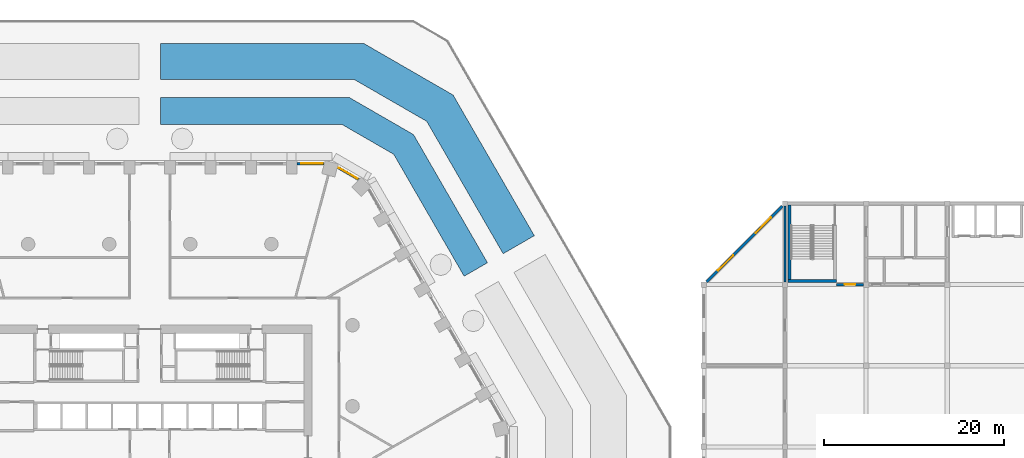
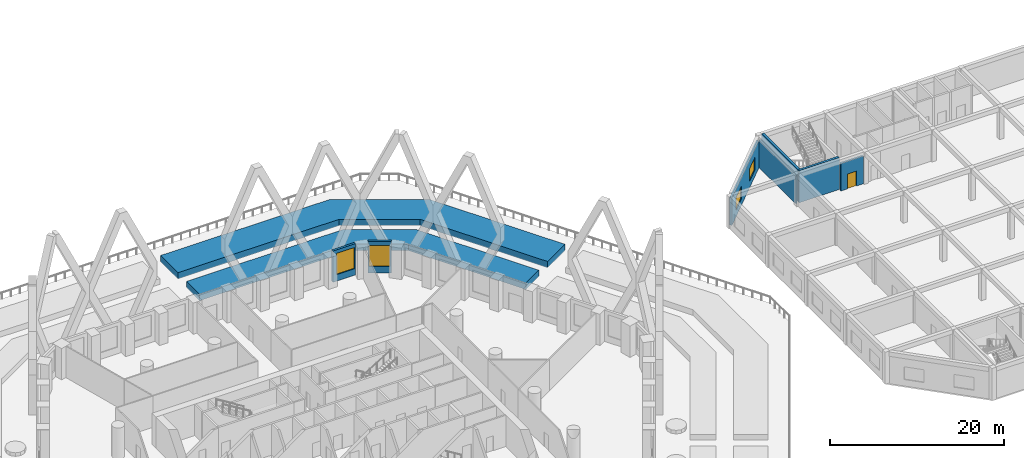
# One storey, part 13 of 27: 9 walls, 4 windows, 1 door, 5 openings.
"""IFC4 building model written with IfcOpenShell, lengths in metres."""

from ifc_helpers import new_model, si_unit, direction, frame, frame_2d, origin, place, context, subcontext, project, spatial, polyline, rectangle, outline, extrude, material, layer, layer_set, type_object, element, fill, save


model = new_model("IFC4")

# Units and contexts
model_context = context("Model", 3, precision=1e-05, world=origin(), true_north=direction((0.0, 1.0)))
body_context = subcontext(model_context, "Body", "Model", "MODEL_VIEW")
ifc_project = project(units=[si_unit("LENGTHUNIT", "METRE"), si_unit("AREAUNIT", "SQUARE_METRE"), si_unit("VOLUMEUNIT", "CUBIC_METRE"), si_unit("PLANEANGLEUNIT", "RADIAN"), si_unit("MASSUNIT", "GRAM", prefix="KILO")], contexts=[model_context])

# Site, building, storey
site_placement = place(None, origin())
site = spatial("IfcSite", under=ifc_project, at=site_placement, CompositionType="ELEMENT")
building_placement = place(site_placement, origin())
building = spatial("IfcBuilding", under=site, at=building_placement, Name="Dhurran Vertical Campus", CompositionType="ELEMENT")
storey_placement = place(building_placement, frame((0.0, 0.0, 10.800048828125)))
storey = spatial("IfcBuildingStorey", under=building, at=storey_placement, Name="L02", CompositionType="ELEMENT", Elevation=10.800048828125)

# Wall, opening, window
ifc_material_1 = material(Name="Precast concrete C50/60", Category="concrete")
ifc_layer_1 = layer(ifc_material_1, 0.300048828125)
ifc_layer_set_1 = layer_set([ifc_layer_1], Name="Precast concrete C50/60")
wall_type_1 = type_object("IfcWallType", Name="Precast spandrel wall 300", PredefinedType="SOLIDWALL", material=ifc_layer_set_1)
wall_1_placement = place(storey_placement, frame((23.183349609375, 29.681884765625, 0.0), z_axis=(0.0, 0.0, 1.0), x_axis=(-0.866001915448, 0.500040680786, 0.0)))
wall_1 = element("IfcWall", 1, at=wall_1_placement, inside=storey, type_object=wall_type_1, Name="EW1 L02.25", PredefinedType="SOLIDWALL", context=body_context, shape_type="SweptSolid", body=[
    extrude(rectangle(XDim=2.678466796875, YDim=0.300048828125, at=frame_2d((1.33935546875, 0.0))), origin(), (0.0, 0.0, 1.0), 4.39990234375),
])
opening_1_placement = place(wall_1_placement, frame((0.139404296875, 0.0, 0.89990234375)))
opening_1 = element("IfcOpeningElement", 2, at=opening_1_placement, cuts=wall_1, Name="Opening WT2", PredefinedType="OPENING", context=body_context, shape_type="SweptSolid", body=[
    extrude(rectangle(XDim=2.39990234375, YDim=3.0, at=frame_2d((1.199951171875, 1.5))), frame((0.0, 0.159912109375, 0.0), z_axis=(0.0, -1.0, 0.0), x_axis=(1.0, 0.0, 0.0)), (0.0, 0.0, 1.0), 0.320068359375),
])
ifc_material_2 = material(Name="Aluminium frame with solar-control glass", Category="aluminium")
window_type_1 = type_object("IfcWindowType", Name="Podium window 2400 x 3000", PartitioningType="SINGLE_PANEL", PredefinedType="WINDOW", material=ifc_material_2)
window_1_placement = place(opening_1_placement, origin())
window_1 = element("IfcWindow", 3, at=window_1_placement, inside=storey, type_object=window_type_1, Name="WT2 L02.25", OverallHeight=3.0, OverallWidth=2.39990234375, PartitioningType="SINGLE_PANEL", PredefinedType="WINDOW", context=body_context, shape_type="SweptSolid", body=[
    extrude(rectangle(XDim=2.39990234375, YDim=3.0, at=frame_2d((1.199951171875, 1.5))), frame((0.0, 0.030029296875, 0.0), z_axis=(0.0, -1.0, 0.0), x_axis=(1.0, 0.0, 0.0)), (0.0, 0.0, 1.0), 0.06005859375),
])
fill(opening_1, window_1)

wall_2_placement = place(storey_placement, frame((19.33935546875, 31.4296875, 0.0), z_axis=(0.0, 0.0, 1.0), x_axis=(-1.0, 0.0, 0.0)))
wall_2 = element("IfcWall", 4, at=wall_2_placement, inside=storey, type_object=wall_type_1, Name="EW1 L02.26", PredefinedType="SOLIDWALL", context=body_context, shape_type="SweptSolid", body=[
    extrude(rectangle(XDim=2.98876953125, YDim=0.300048828125, at=frame_2d((1.494384765625, 0.0))), origin(), (0.0, 0.0, 1.0), 4.39990234375),
])
opening_2_placement = place(wall_2_placement, frame((0.139404296875, 0.0, 0.89990234375)))
opening_2 = element("IfcOpeningElement", 5, at=opening_2_placement, cuts=wall_2, Name="Opening WT2", PredefinedType="OPENING", context=body_context, shape_type="SweptSolid", body=[
    extrude(rectangle(XDim=2.39990234375, YDim=3.0, at=frame_2d((1.199951171875, 1.5))), frame((0.0, 0.159912109375, 0.0), z_axis=(0.0, -1.0, 0.0), x_axis=(1.0, 0.0, 0.0)), (0.0, 0.0, 1.0), 0.320068359375),
])
window_2_placement = place(opening_2_placement, origin())
window_2 = element("IfcWindow", 6, at=window_2_placement, inside=storey, type_object=window_type_1, Name="WT2 L02.26", OverallHeight=3.0, OverallWidth=2.39990234375, PartitioningType="SINGLE_PANEL", PredefinedType="WINDOW", context=body_context, shape_type="SweptSolid", body=[
    extrude(rectangle(XDim=2.39990234375, YDim=3.0, at=frame_2d((1.199951171875, 1.5))), frame((0.0, 0.030029296875, 0.0), z_axis=(0.0, -1.0, 0.0), x_axis=(1.0, 0.0, 0.0)), (0.0, 0.0, 1.0), 0.06005859375),
])
fill(opening_2, window_2)

# Wall, openings, windows
ifc_material_3 = material(Name="Precast concrete C40/50", Category="concrete")
ifc_layer_2 = layer(ifc_material_3, 0.300048828125)
ifc_layer_set_2 = layer_set([ifc_layer_2], Name="Precast concrete C40/50")
wall_type_2 = type_object("IfcWallType", Name="hl-external wall precast 300", PredefinedType="SOLIDWALL", material=ifc_layer_set_2)
wall_3_placement = place(storey_placement, frame((70.199951171875, 26.699951171875, 0.0), z_axis=(0.0, 0.0, 1.0), x_axis=(-0.707106781187, -0.707106781187, 0.0)))
wall_3 = element("IfcWall", 7, at=wall_3_placement, inside=storey, type_object=wall_type_2, Name="Hall external wall L02-040", PredefinedType="SOLIDWALL", context=body_context, shape_type="SweptSolid", body=[
    extrude(rectangle(XDim=11.879150390625, YDim=0.300048828125, at=frame_2d((5.939453125, 0.0))), origin(), (0.0, 0.0, 1.0), 3.89990234375),
])
opening_3_placement = place(wall_3_placement, frame((1.769775390625, 0.0, 0.89990234375)))
opening_3 = element("IfcOpeningElement", 8, at=opening_3_placement, cuts=wall_3, Name="Opening HWN1", PredefinedType="OPENING", context=body_context, shape_type="SweptSolid", body=[
    extrude(rectangle(XDim=2.39990234375, YDim=1.800048828125, at=frame_2d((1.199951171875, 0.89990234375))), frame((0.0, 0.159912109375, 0.0), z_axis=(0.0, -1.0, 0.0), x_axis=(1.0, 0.0, 0.0)), (0.0, 0.0, 1.0), 0.320068359375),
])
opening_4_placement = place(wall_3_placement, frame((7.70947265625, 0.0, 0.89990234375)))
opening_4 = element("IfcOpeningElement", 9, at=opening_4_placement, cuts=wall_3, Name="Opening HWN1", PredefinedType="OPENING", context=body_context, shape_type="SweptSolid", body=[
    extrude(rectangle(XDim=2.39990234375, YDim=1.800048828125, at=frame_2d((1.199951171875, 0.89990234375))), frame((0.0, 0.159912109375, 0.0), z_axis=(0.0, -1.0, 0.0), x_axis=(1.0, 0.0, 0.0)), (0.0, 0.0, 1.0), 0.320068359375),
])
ifc_material_4 = material(Name="Aluminium", Category="aluminium")
window_type_2 = type_object("IfcWindowType", Name="hl-window 2400x1800", PartitioningType="SINGLE_PANEL", PredefinedType="WINDOW", material=ifc_material_4)
window_3_placement = place(opening_3_placement, origin())
window_3 = element("IfcWindow", 10, at=window_3_placement, inside=storey, type_object=window_type_2, Name="Hall window L02-055", OverallHeight=1.800048828125, OverallWidth=2.39990234375, PartitioningType="SINGLE_PANEL", PredefinedType="WINDOW", context=body_context, shape_type="SweptSolid", body=[
    extrude(rectangle(XDim=2.39990234375, YDim=1.800048828125, at=frame_2d((1.199951171875, 0.89990234375))), frame((0.0, 0.030029296875, 0.0), z_axis=(0.0, -1.0, 0.0), x_axis=(1.0, 0.0, 0.0)), (0.0, 0.0, 1.0), 0.06005859375),
])
fill(opening_3, window_3)
window_4_placement = place(opening_4_placement, origin())
window_4 = element("IfcWindow", 11, at=window_4_placement, inside=storey, type_object=window_type_2, Name="Hall window L02-056", OverallHeight=1.800048828125, OverallWidth=2.39990234375, PartitioningType="SINGLE_PANEL", PredefinedType="WINDOW", context=body_context, shape_type="SweptSolid", body=[
    extrude(rectangle(XDim=2.39990234375, YDim=1.800048828125, at=frame_2d((1.199951171875, 0.89990234375))), frame((0.0, 0.030029296875, 0.0), z_axis=(0.0, -1.0, 0.0), x_axis=(1.0, 0.0, 0.0)), (0.0, 0.0, 1.0), 0.06005859375),
])
fill(opening_4, window_4)

# Wall
ifc_material_5 = material(Name="Masonry blockwork", Category="masonry")
ifc_layer_3 = layer(ifc_material_5, 0.199951171875)
ifc_layer_set_3 = layer_set([ifc_layer_3], Name="Masonry blockwork")
wall_type_3 = type_object("IfcWallType", Name="hl-partition blockwork 200 EI 60", PredefinedType="PARTITIONING", material=ifc_layer_set_3)
wall_4_placement = place(storey_placement, frame((70.5, 18.300048828125, 0.0), z_axis=(0.0, 0.0, 1.0), x_axis=(0.0, 1.0, 0.0)))
element("IfcWall", 12, at=wall_4_placement, inside=storey, type_object=wall_type_3, Name="Hall partition L02-008", PredefinedType="PARTITIONING", context=body_context, shape_type="SweptSolid", body=[
    extrude(rectangle(XDim=8.39990234375, YDim=0.199951171875, at=frame_2d((4.199951171875, 0.0))), origin(), (0.0, 0.0, 1.0), 3.89990234375),
])

# Wall, opening, door
ifc_material_6 = material(Name="Masonry blockwork", Category="masonry")
ifc_layer_4 = layer(ifc_material_6, 0.25)
ifc_layer_set_4 = layer_set([ifc_layer_4], Name="Masonry blockwork")
wall_type_4 = type_object("IfcWallType", Name="hl-partition blockwork 250 EI 120", PredefinedType="PARTITIONING", material=ifc_layer_set_4)
wall_5_placement = place(storey_placement, frame((76.199951171875, 18.0, 0.0), z_axis=(0.0, 0.0, 1.0), x_axis=(1.0, 0.0, 0.0)))
wall_5 = element("IfcWall", 13, at=wall_5_placement, inside=storey, type_object=wall_type_4, Name="Hall partition L02-010", PredefinedType="PARTITIONING", context=body_context, shape_type="SweptSolid", body=[
    extrude(rectangle(XDim=3.0, YDim=0.25, at=frame_2d((1.5, 0.0))), origin(), (0.0, 0.0, 1.0), 3.89990234375),
])
opening_5_placement = place(wall_5_placement, frame((0.89990234375, 0.0, 0.0)))
opening_5 = element("IfcOpeningElement", 14, at=opening_5_placement, cuts=wall_5, Name="Opening HD203", PredefinedType="OPENING", context=body_context, shape_type="SweptSolid", body=[
    extrude(rectangle(XDim=1.199951171875, YDim=2.10009765625, at=frame_2d((0.60009765625, 1.050048828125))), frame((0.0, 0.135009765625, 0.0), z_axis=(0.0, -1.0, 0.0), x_axis=(1.0, 0.0, 0.0)), (0.0, 0.0, 1.0), 0.27001953125),
])
ifc_material_7 = material(Name="Fire-rated steel door set", Category="steel")
door_type = type_object("IfcDoorType", Name="hl-door 1200x2100 single FD90", OperationType="NOTDEFINED", PredefinedType="DOOR", material=ifc_material_7)
door_placement = place(opening_5_placement, origin())
door = element("IfcDoor", 15, at=door_placement, inside=storey, type_object=door_type, Name="Door HD203", OperationType="SINGLE_SWING_LEFT", OverallHeight=2.10009765625, OverallWidth=1.199951171875, PredefinedType="DOOR", context=body_context, shape_type="SweptSolid", body=[
    extrude(rectangle(XDim=1.199951171875, YDim=2.10009765625, at=frame_2d((0.60009765625, 1.050048828125))), frame((0.0, 0.02490234375, 0.0), z_axis=(0.0, -1.0, 0.0), x_axis=(1.0, 0.0, 0.0)), (0.0, 0.0, 1.0), 0.050048828125),
])
fill(opening_5, door)

# Walls
ifc_material_8 = material(Name="Concrete C40/50", Category="concrete")
ifc_layer_5 = layer(ifc_material_8, 0.300048828125)
ifc_layer_set_5 = layer_set([ifc_layer_5], Name="Concrete C40/50")
wall_type_5 = type_object("IfcWallType", Name="hl-stair shaft wall 300", PredefinedType="SHEAR", material=ifc_layer_set_5)
wall_6_placement = place(storey_placement, frame((71.0, 26.85009765625, 0.0), z_axis=(0.0, 0.0, 1.0), x_axis=(0.0, -1.0, 0.0)))
element("IfcWall", 16, at=wall_6_placement, inside=storey, type_object=wall_type_5, Name="Stair shaft wall HST3 W L02", PredefinedType="SHEAR", context=body_context, shape_type="SweptSolid", body=[
    extrude(rectangle(XDim=8.300048828125, YDim=0.300048828125, at=frame_2d((4.14990234375, 0.0))), origin(), (0.0, 0.0, 1.0), 4.52001953125),
])
wall_7_placement = place(storey_placement, frame((70.85009765625, 18.39990234375, 0.0), z_axis=(0.0, 0.0, 1.0), x_axis=(1.0, 0.0, 0.0)))
element("IfcWall", 17, at=wall_7_placement, inside=storey, type_object=wall_type_5, Name="Stair shaft wall HST3 F L02", PredefinedType="SHEAR", context=body_context, shape_type="SweptSolid", body=[
    extrude(rectangle(XDim=5.349853515625, YDim=0.300048828125, at=frame_2d((2.6748046875, 0.0))), origin(), (0.0, 0.0, 1.0), 4.52001953125),
])
ifc_material_9 = material(Name="Concrete C35/45", Category="concrete")
ifc_layer_6 = layer(ifc_material_9, 3.0)
ifc_layer_set_6 = layer_set([ifc_layer_6], Name="Concrete C35/45")
wall_type_6 = type_object("IfcWallType", Name="st-planting bed 900", PredefinedType="SOLIDWALL", material=ifc_layer_set_6)
wall_8_placement = place(storey_placement, origin())
element("IfcWall", 18, at=wall_8_placement, inside=storey, type_object=wall_type_6, Name="Planter 10", PredefinedType="SOLIDWALL", context=body_context, shape_type="SweptSolid", body=[
    extrude(outline(polyline([(1.199951171875, 38.77978515625), (1.199951171875, 35.77978515625), (21.32177734375, 35.77978515625), (27.0751953125, 32.4580078125), (34.88623046875, 18.92919921875), (37.484375, 20.42919921875), (29.271484375, 34.654296875), (22.12548828125, 38.77978515625), (1.199951171875, 38.77978515625)])), origin(), (0.0, 0.0, 1.0), 0.89990234375),
])
wall_9_placement = place(storey_placement, origin())
element("IfcWall", 19, at=wall_9_placement, inside=storey, type_object=wall_type_6, Name="Planter 12", PredefinedType="SOLIDWALL", context=body_context, shape_type="SweptSolid", body=[
    extrude(outline(polyline([(1.199951171875, 44.77978515625), (1.199951171875, 40.77978515625), (22.66162109375, 40.77978515625), (30.735595703125, 36.118408203125), (39.21630859375, 21.42919921875), (42.680419921875, 23.42919921875), (33.663818359375, 39.04638671875), (23.7333984375, 44.77978515625), (1.199951171875, 44.77978515625)])), origin(), (0.0, 0.0, 1.0), 0.89990234375),
])

save(model, "model.ifc")
